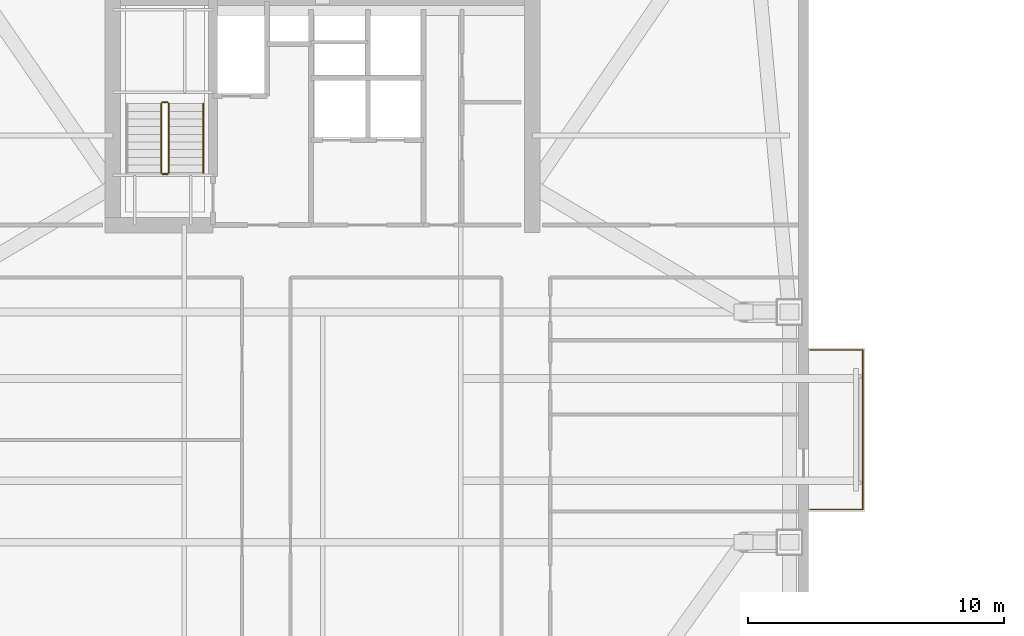
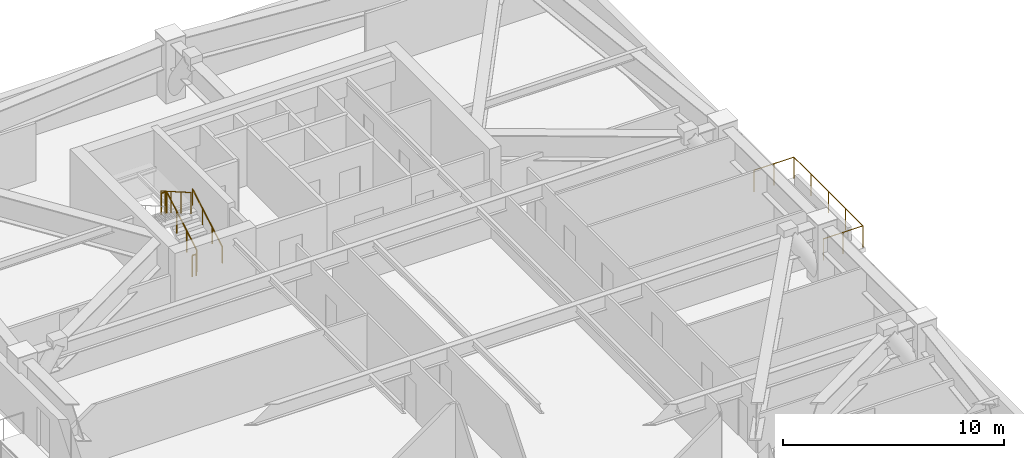
# One storey, part 15 of 17: 6 railings.
"""IFC4 building model written with IfcOpenShell, lengths in metres."""

import ifcopenshell
import ifcopenshell.guid

model = None  # the IFC model being written
_history = None  # IfcOwnerHistory: only IFC2X3 demands one
_inside = {}  # id of a spatial element -> (the spatial element, [elements in it])
_under = {}  # id of a project, library or spatial element -> (it, [spatial elements below it])
_declared = {}  # id of a project -> (the project, [libraries it declares])
_typed = {}  # id of a type object -> (the type object, [elements of that type])
_made_of = {}  # id of a material, layer set ... -> (it, [elements and type objects made of it])


def new_model(schema):
    """Start an empty IFC model of exactly this schema.

    Asked for "IFC4X3", IfcOpenShell would pick the latest addendum, in which some entities
    have other attributes; the version numbers below select the first issue.
    IFC2X3 requires an IfcOwnerHistory on every rooted entity: one is made here for all.
    """
    global model, _history
    if schema == "IFC4X3":
        model = ifcopenshell.file(schema_version=(4, 3, 0, 0))
    else:
        model = ifcopenshell.file(schema=schema)
    _inside.clear()
    _under.clear()
    _declared.clear()
    _typed.clear()
    _made_of.clear()
    _history = None
    if model.schema == "IFC2X3":
        org = make("IfcOrganization", Name="unknown")
        user = make(
            "IfcPersonAndOrganization",
            ThePerson=make("IfcPerson", FamilyName="unknown"),
            TheOrganization=org,
        )
        app = make(
            "IfcApplication",
            ApplicationDeveloper=org,
            Version="unknown",
            ApplicationFullName="unknown",
            ApplicationIdentifier="unknown",
        )
        _history = make(
            "IfcOwnerHistory",
            OwningUser=user,
            OwningApplication=app,
            ChangeAction="ADDED",
            CreationDate=0,
        )
    return model


def make(cls, **values):
    """One entity of the class cls with the attributes given. An attribute that is None is left unset."""
    return model.create_entity(
        cls, **{name: value for name, value in values.items() if value is not None}
    )


def rooted(cls, **values):
    """An entity with a GlobalId (a new one), such as an element, a storey or a relation."""
    return make(cls, GlobalId=ifcopenshell.guid.new(), OwnerHistory=_history, **values)


def si_unit(unit_type, name, prefix=None):
    """IfcSIUnit, for example si_unit("LENGTHUNIT", "METRE", prefix="MILLI")."""
    return make("IfcSIUnit", UnitType=unit_type, Prefix=prefix, Name=name)


def assignment(units):
    """IfcUnitAssignment: the units of a project."""
    return None if units is None else make("IfcUnitAssignment", Units=units)


def point(xyz):
    """IfcCartesianPoint."""
    return None if xyz is None else make("IfcCartesianPoint", Coordinates=xyz)


def direction(xyz):
    """IfcDirection."""
    return None if xyz is None else make("IfcDirection", DirectionRatios=xyz)


def frame(location, z_axis=None, x_axis=None):
    """IfcAxis2Placement3D, a coordinate frame: its origin and axes. An axis left out is left unset."""
    return make(
        "IfcAxis2Placement3D",
        Location=point(location),
        Axis=direction(z_axis),
        RefDirection=direction(x_axis),
    )


def frame_2d(location, x_axis=None):
    """IfcAxis2Placement2D, a coordinate frame in the plane: its origin and x axis."""
    return make(
        "IfcAxis2Placement2D", Location=point(location), RefDirection=direction(x_axis)
    )


def origin():
    """The frame at (0, 0, 0) with its axes left unset."""
    return frame((0.0, 0.0, 0.0))


def origin_2d():
    """The frame at (0, 0) in the plane with its x axis left unset."""
    return frame_2d((0.0, 0.0))


def place(relative_to, where):
    """IfcLocalPlacement: puts the frame where relative to a parent placement (None: the world)."""
    return make(
        "IfcLocalPlacement", PlacementRelTo=relative_to, RelativePlacement=where
    )


def context(
    kind, dimensions, precision=None, world=None, true_north=None, identifier=None
):
    """IfcGeometricRepresentationContext, for example the 3D "Model" context."""
    return make(
        "IfcGeometricRepresentationContext",
        ContextIdentifier=identifier,
        ContextType=kind,
        CoordinateSpaceDimension=dimensions,
        Precision=precision,
        WorldCoordinateSystem=world,
        TrueNorth=true_north,
    )


def subcontext(parent, identifier, kind, view, scale=None):
    """IfcGeometricRepresentationSubContext, for example "Body" below "Model"."""
    return make(
        "IfcGeometricRepresentationSubContext",
        ContextIdentifier=identifier,
        ContextType=kind,
        ParentContext=parent,
        TargetScale=scale,
        TargetView=view,
    )


def project(units=None, contexts=None):
    """IfcProject with its units and contexts."""
    return rooted(
        "IfcProject",
        Name="project",
        RepresentationContexts=contexts,
        UnitsInContext=assignment(units),
    )


def spatial(cls, under=None, at=None, **own):
    """A site, building, storey or space (cls), placed at a placement, below another one or the project."""
    s = rooted(cls, ObjectPlacement=at, **own)
    if under is not None:
        _under.setdefault(under.id(), (under, []))[1].append(s)
    return s


def profile(cls, at=None, kind="AREA", **sizes):
    """A parametric profile (cls). Its sizes go by their IFC names, for example OverallWidth=200.0."""
    return make(cls, ProfileType=kind, Position=at, **sizes)


def circle(**sizes):
    """IfcCircleProfileDef."""
    return profile("IfcCircleProfileDef", **sizes)


def extrude(swept, where, along, depth):
    """IfcExtrudedAreaSolid: the profile swept, set in the frame where, extruded along a direction by depth."""
    return make(
        "IfcExtrudedAreaSolid",
        SweptArea=swept,
        Position=where,
        ExtrudedDirection=direction(along),
        Depth=depth,
    )


def shape(context_of_items, identifier, shape_type, items):
    """IfcShapeRepresentation: the items that make up one representation, for example the "Body"."""
    return make(
        "IfcShapeRepresentation",
        ContextOfItems=context_of_items,
        RepresentationIdentifier=identifier,
        RepresentationType=shape_type,
        Items=items,
    )


def material(Name=None, Category=None):
    """IfcMaterial."""
    return make("IfcMaterial", Name=Name, Category=Category)


def made_of(thing, what):
    """Note that an element or type object is made of a material, layer set ...; save() writes the relation."""
    if what is not None:
        _made_of.setdefault(what.id(), (what, []))[1].append(thing)
    return thing


def type_object(cls, material=None, **own):
    """A type object (cls), such as IfcWallType, which elements share."""
    return made_of(rooted(cls, **own), material)


def element(
    cls,
    number,
    at=None,
    inside=None,
    cuts=None,
    type_object=None,
    material=None,
    context=None,
    identifier="Body",
    shape_type=None,
    held_by="IfcProductDefinitionShape",
    body=None,
    shapes=None,
    **own,
):
    """One element of the class cls, such as IfcWall. Its Tag is "e" and its number.

    at: its placement. inside: the storey or other place that contains it. cuts: it is an
    opening in that element (IfcRelVoidsElement). A single representation is given by context,
    identifier, shape_type and body (its items); several are given by shapes. held_by: the class
    of the entity that holds the representations. save() writes the other relations.
    """
    e = rooted(cls, Tag="e%d" % number, ObjectPlacement=at, **own)
    if body is not None:
        shapes = [shape(context, identifier, shape_type, body)]
    if shapes is not None:
        e.Representation = make(held_by, Representations=shapes)
    if inside is not None:
        _inside.setdefault(inside.id(), (inside, []))[1].append(e)
    if cuts is not None:
        rooted(
            "IfcRelVoidsElement", RelatingBuildingElement=cuts, RelatedOpeningElement=e
        )
    if type_object is not None:
        _typed.setdefault(type_object.id(), (type_object, []))[1].append(e)
    return made_of(e, material)


def aggregate(whole, parts):
    """IfcRelAggregates: a whole, such as a stair, and the parts it consists of."""
    return rooted("IfcRelAggregates", RelatingObject=whole, RelatedObjects=parts)


def save(model, path):
    """Write the relations noted so far, then the file.

    IfcRelAggregates (storeys below a building ...), IfcRelContainedInSpatialStructure (elements
    in a storey), IfcRelDefinesByType, IfcRelAssociatesMaterial and IfcRelDeclares: one each for
    every whole, place, type object, material and project.
    """
    for whole, parts in _under.values():
        aggregate(whole, parts)
    for where, things in _inside.values():
        rooted(
            "IfcRelContainedInSpatialStructure",
            RelatedElements=things,
            RelatingStructure=where,
        )
    for kind, things in _typed.values():
        rooted("IfcRelDefinesByType", RelatedObjects=things, RelatingType=kind)
    for what, things in _made_of.values():
        rooted("IfcRelAssociatesMaterial", RelatedObjects=things, RelatingMaterial=what)
    for by, libraries in _declared.values():
        rooted("IfcRelDeclares", RelatingContext=by, RelatedDefinitions=libraries)
    model.write(path)


model = new_model("IFC4")

# Units and contexts
model_context = context("Model", 3, precision=1e-05, world=origin(), true_north=direction((0.0, 1.0)))
body_context = subcontext(model_context, "Body", "Model", "MODEL_VIEW")
ifc_project = project(units=[si_unit("LENGTHUNIT", "METRE"), si_unit("AREAUNIT", "SQUARE_METRE"), si_unit("VOLUMEUNIT", "CUBIC_METRE"), si_unit("PLANEANGLEUNIT", "RADIAN"), si_unit("MASSUNIT", "GRAM", prefix="KILO")], contexts=[model_context])

# Site, building, storey
site_placement = place(None, origin())
site = spatial("IfcSite", under=ifc_project, at=site_placement, CompositionType="ELEMENT")
building_placement = place(site_placement, origin())
building = spatial("IfcBuilding", under=site, at=building_placement, Name="Qiaolan Cultural Towers", CompositionType="ELEMENT")
storey_placement = place(building_placement, frame((0.0, 0.0, 156.39990234375)))
storey = spatial("IfcBuildingStorey", under=building, at=storey_placement, Name="L41", CompositionType="ELEMENT", Elevation=156.39990234375)

# Railings
ifc_material_1 = material(Name="Laminated SentryGlas & Stainless Steel S31608 Balustrade", Category="steel")
railing_type_1 = type_object("IfcRailingType", Name="GRD-TERR-1200", PredefinedType="BALUSTRADE", material=ifc_material_1)
railing_1_placement = place(storey_placement, frame((49.050048828125, 35.280029296875, 0.0)))
element("IfcRailing", 1, at=railing_1_placement, inside=storey, type_object=railing_type_1, Name="L41 T1 Tree Balcony Guardrail E", PredefinedType="BALUSTRADE", context=body_context, shape_type="SweptSolid", body=[
    extrude(circle(Radius=0.02392578125, at=origin_2d()), frame((0.0, 0.0, 1.17578125), z_axis=(1.0, 0.0, 0.0), x_axis=(0.0, 1.0, 0.0)), (0.0, 0.0, 1.0), 2.070068359375),
    extrude(circle(Radius=0.02392578125, at=origin_2d()), frame((2.070068359375, 0.0, 1.17578125), z_axis=(0.0, 1.0, 0.0), x_axis=(-1.0, 0.0, 0.0)), (0.0, 0.0, 1.0), 6.239990234375),
    extrude(circle(Radius=0.02392578125, at=origin_2d()), frame((2.070068359375, 6.239990234375, 1.17578125), z_axis=(-1.0, 0.0, 0.0), x_axis=(0.0, -1.0, 0.0)), (0.0, 0.0, 1.0), 2.070068359375),
    extrude(circle(Radius=0.02099609375, at=origin_2d()), origin(), (0.0, 0.0, 1.0), 1.15185546875),
    extrude(circle(Radius=0.02099609375, at=origin_2d()), frame((1.03515625, 0.0, 0.0)), (0.0, 0.0, 1.0), 1.15185546875),
    extrude(circle(Radius=0.02099609375, at=origin_2d()), frame((2.070068359375, 0.0, 0.0)), (0.0, 0.0, 1.0), 1.15185546875),
    extrude(circle(Radius=0.02099609375, at=origin_2d()), frame((2.070068359375, 1.56005859375, 0.0)), (0.0, 0.0, 1.0), 1.15185546875),
    extrude(circle(Radius=0.02099609375, at=origin_2d()), frame((2.070068359375, 3.1201171875, 0.0)), (0.0, 0.0, 1.0), 1.15185546875),
    extrude(circle(Radius=0.02099609375, at=origin_2d()), frame((2.070068359375, 4.679931640625, 0.0)), (0.0, 0.0, 1.0), 1.15185546875),
    extrude(circle(Radius=0.02099609375, at=origin_2d()), frame((2.070068359375, 6.239990234375, 0.0)), (0.0, 0.0, 1.0), 1.15185546875),
    extrude(circle(Radius=0.02099609375, at=origin_2d()), frame((1.03515625, 6.239990234375, 0.0)), (0.0, 0.0, 1.0), 1.15185546875),
    extrude(circle(Radius=0.02099609375, at=origin_2d()), frame((0.0, 6.239990234375, 0.0)), (0.0, 0.0, 1.0), 1.15185546875),
])
ifc_material_2 = material(Name="Galvanized Painted Steel Stair Guardrail", Category="steel")
railing_type_2 = type_object("IfcRailingType", Name="RL-STAIR-GRD", PredefinedType="GUARDRAIL", material=ifc_material_2)
railing_2_placement = place(storey_placement, frame((23.989990234375, 48.449951171875, 0.172607421875)))
element("IfcRailing", 2, at=railing_2_placement, inside=storey, type_object=railing_type_2, Name="L41 ST-W2 stair guard 1", PredefinedType="GUARDRAIL", context=body_context, shape_type="SweptSolid", body=[
    extrude(circle(Radius=0.02392578125, at=origin_2d()), frame((0.0, 0.0, 1.17578125), z_axis=(0.0, 0.866903762492, 0.498475542607), x_axis=(-1.0, 0.0, 0.0)), (0.0, 0.0, 1.0), 3.114501953125),
    extrude(circle(Radius=0.02099609375, at=origin_2d()), origin(), (0.0, 0.0, 1.0), 1.15185546875),
    extrude(circle(Radius=0.02099609375, at=origin_2d()), frame((0.0, 0.89990234375, 0.517578125)), (0.0, 0.0, 1.0), 1.15185546875),
    extrude(circle(Radius=0.02099609375, at=origin_2d()), frame((0.0, 1.800048828125, 1.034912109375)), (0.0, 0.0, 1.0), 1.15185546875),
    extrude(circle(Radius=0.02099609375, at=origin_2d()), frame((0.0, 2.699951171875, 1.552490234375)), (0.0, 0.0, 1.0), 1.15185546875),
])
railing_3_placement = place(storey_placement, frame((23.93994140625, 51.199951171875, 1.72509765625)))
element("IfcRailing", 3, at=railing_3_placement, inside=storey, type_object=railing_type_2, Name="L41 ST-W2 stair guard 2", PredefinedType="GUARDRAIL", context=body_context, shape_type="SweptSolid", body=[
    extrude(circle(Radius=0.02392578125, at=origin_2d()), frame((0.0, 0.0, 1.17578125), z_axis=(-1.0, 0.0, 0.0), x_axis=(0.0, -1.0, 0.0)), (0.0, 0.0, 1.0), 0.199951171875),
    extrude(circle(Radius=0.02099609375, at=origin_2d()), origin(), (0.0, 0.0, 1.0), 1.15185546875),
    extrude(circle(Radius=0.02099609375, at=origin_2d()), frame((-0.199951171875, 0.0, 0.0)), (0.0, 0.0, 1.0), 1.15185546875),
])
railing_4_placement = place(storey_placement, frame((23.68994140625, 51.14990234375, 1.897705078125)))
element("IfcRailing", 4, at=railing_4_placement, inside=storey, type_object=railing_type_2, Name="L41 ST-W2 stair guard 3", PredefinedType="GUARDRAIL", context=body_context, shape_type="SweptSolid", body=[
    extrude(circle(Radius=0.02392578125, at=origin_2d()), frame((0.0, 0.0, 1.17578125), z_axis=(0.0, -0.866903762492, 0.498475542607), x_axis=(1.0, 0.0, 0.0)), (0.0, 0.0, 1.0), 3.114501953125),
    extrude(circle(Radius=0.02099609375, at=origin_2d()), origin(), (0.0, 0.0, 1.0), 1.15185546875),
    extrude(circle(Radius=0.02099609375, at=origin_2d()), frame((0.0, -0.89990234375, 0.517578125)), (0.0, 0.0, 1.0), 1.15185546875),
    extrude(circle(Radius=0.02099609375, at=origin_2d()), frame((0.0, -1.800048828125, 1.034912109375)), (0.0, 0.0, 1.0), 1.15185546875),
    extrude(circle(Radius=0.02099609375, at=origin_2d()), frame((0.0, -2.699951171875, 1.552490234375)), (0.0, 0.0, 1.0), 1.15185546875),
])
railing_5_placement = place(storey_placement, frame((23.93994140625, 48.39990234375, 0.0)))
element("IfcRailing", 5, at=railing_5_placement, inside=storey, type_object=railing_type_2, Name="L41 ST-W2 stair guard 4", PredefinedType="GUARDRAIL", context=body_context, shape_type="SweptSolid", body=[
    extrude(circle(Radius=0.02392578125, at=origin_2d()), frame((0.0, 0.0, 1.17578125), z_axis=(-1.0, 0.0, 0.0), x_axis=(0.0, -1.0, 0.0)), (0.0, 0.0, 1.0), 0.199951171875),
    extrude(circle(Radius=0.02099609375, at=origin_2d()), origin(), (0.0, 0.0, 1.0), 1.15185546875),
    extrude(circle(Radius=0.02099609375, at=origin_2d()), frame((-0.199951171875, 0.0, 0.0)), (0.0, 0.0, 1.0), 1.15185546875),
])
ifc_material_3 = material(Name="Stainless Steel S30408 Tubular Handrail", Category="steel")
railing_type_3 = type_object("IfcRailingType", Name="RL-STAIR-HR", PredefinedType="HANDRAIL", material=ifc_material_3)
railing_6_placement = place(storey_placement, frame((25.330078125, 48.449951171875, 0.172607421875)))
element("IfcRailing", 6, at=railing_6_placement, inside=storey, type_object=railing_type_3, Name="L41 ST-W2 stair handrail 1", PredefinedType="HANDRAIL", context=body_context, shape_type="SweptSolid", body=[
    extrude(circle(Radius=0.02392578125, at=origin_2d()), frame((0.0, 0.0, 0.8759765625), z_axis=(0.0, 0.866903762492, 0.498475542607), x_axis=(-1.0, 0.0, 0.0)), (0.0, 0.0, 1.0), 3.114501953125),
    extrude(circle(Radius=0.02099609375, at=origin_2d()), origin(), (0.0, 0.0, 1.0), 0.851806640625),
    extrude(circle(Radius=0.02099609375, at=origin_2d()), frame((0.0, 0.89990234375, 0.517578125)), (0.0, 0.0, 1.0), 0.851806640625),
    extrude(circle(Radius=0.02099609375, at=origin_2d()), frame((0.0, 1.800048828125, 1.034912109375)), (0.0, 0.0, 1.0), 0.851806640625),
    extrude(circle(Radius=0.02099609375, at=origin_2d()), frame((0.0, 2.699951171875, 1.552490234375)), (0.0, 0.0, 1.0), 0.851806640625),
])

save(model, "model.ifc")
